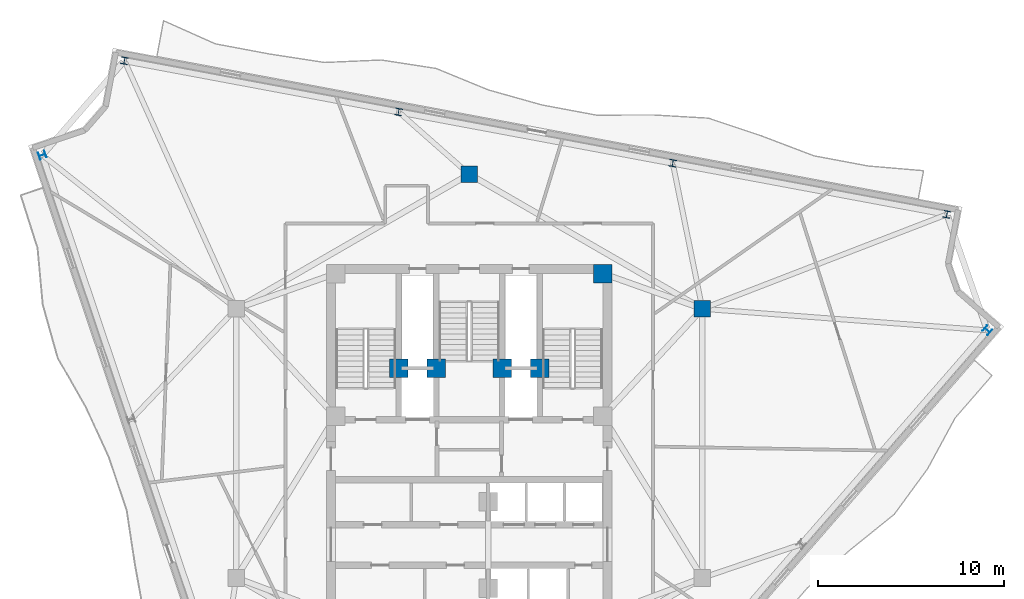
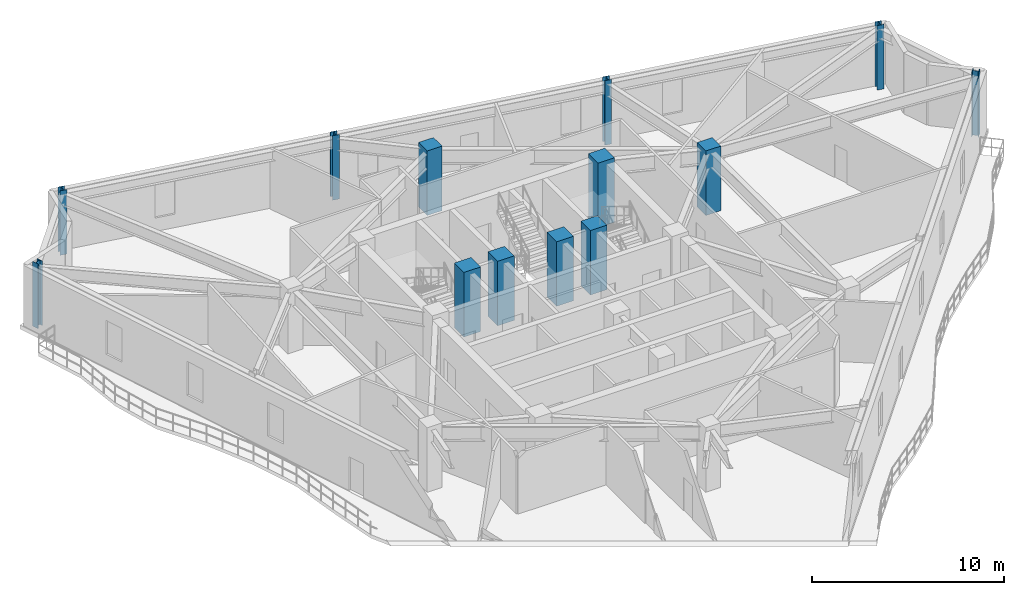
# One storey, part 2 of 10: 13 columns.
"""IFC4 building model written with IfcOpenShell, lengths in metres."""

from ifc_helpers import new_model, si_unit, direction, frame, origin, origin_2d, place, context, subcontext, project, spatial, rectangle, i_section, extrude, material, material_profile, profile_set, type_object, element, save


model = new_model("IFC4")

# Units and contexts
model_context = context("Model", 3, precision=1e-05, world=origin(), true_north=direction((0.0, 1.0)))
body_context = subcontext(model_context, "Body", "Model", "MODEL_VIEW")
ifc_project = project(units=[si_unit("LENGTHUNIT", "METRE"), si_unit("AREAUNIT", "SQUARE_METRE"), si_unit("VOLUMEUNIT", "CUBIC_METRE"), si_unit("PLANEANGLEUNIT", "RADIAN"), si_unit("MASSUNIT", "GRAM", prefix="KILO")], contexts=[model_context])

# Site, building, storey
site_placement = place(None, origin())
site = spatial("IfcSite", under=ifc_project, at=site_placement, CompositionType="ELEMENT")
building_placement = place(site_placement, origin())
building = spatial("IfcBuilding", under=site, at=building_placement, Name="Apsidion Concourse Tower", CompositionType="ELEMENT")
storey_placement = place(building_placement, frame((0.0, 0.0, 265.5)))
storey = spatial("IfcBuildingStorey", under=building, at=storey_placement, Name="L62", CompositionType="ELEMENT", Elevation=265.5)

# Columns
ifc_material_1 = material(Name="Concrete C50/60", Category="concrete")
ifc_material_profile_1 = material_profile(ifc_material_1, rectangle(XDim=1.0, YDim=1.0, at=origin_2d()), Name="RC 1000x1000")
ifc_profile_set_1 = profile_set([ifc_material_profile_1], Name="Concrete C50/60")
column_type_1 = type_object("IfcColumnType", Name="COL-RC-1000", PredefinedType="COLUMN", material=ifc_profile_set_1)
for number, where, z_axis, x_axis, name in (
    (1, (7.199951171875, 9.14990234375, 0.0), (0.0, 0.0, 1.0), (1.0, 0.0, 0.0), "L62 Core Super-Column SC4"),
    (2, (-3.800048828125, 4.050048828125, 0.0), (0.0, 0.0, 1.0), (1.0, 0.0, 0.0), "L62 Core Super-Column CC1"),
    (3, (3.800048828125, 4.050048828125, 0.0), (0.0, 0.0, 1.0), (1.0, 0.0, 0.0), "L62 Core Super-Column CC2"),
    (4, (-1.77490234375, 4.050048828125, 0.0), (0.0, 0.0, 1.0), (1.0, 0.0, 0.0), "L62 Core Super-Column CC3"),
    (5, (1.77490234375, 4.050048828125, 0.0), (0.0, 0.0, 1.0), (1.0, 0.0, 0.0), "L62 Core Super-Column CC4"),
):
    element("IfcColumn", number, at=place(storey_placement, frame(where, z_axis=z_axis, x_axis=x_axis)), inside=storey, type_object=column_type_1, Name=name, PredefinedType="COLUMN", context=body_context, shape_type="SweptSolid", body=[
        extrude(rectangle(XDim=1.0, YDim=1.0, at=origin_2d()), origin(), (0.0, 0.0, 1.0), 4.10009765625),
    ])
ifc_material_profile_2 = material_profile(ifc_material_1, rectangle(XDim=0.89990234375, YDim=0.89990234375, at=origin_2d()), Name="RC 900x900")
ifc_profile_set_2 = profile_set([ifc_material_profile_2], Name="Concrete C50/60")
column_type_2 = type_object("IfcColumnType", Name="COL-RC-900", PredefinedType="COLUMN", material=ifc_profile_set_2)
for number, where, z_axis, x_axis, name in (
    (6, (12.56005859375, 7.25, 0.0), (0.0, 0.0, 1.0), (1.0, 0.0, 0.0), "L62 Interior Spine Column IC3"),
    (7, (0.0, 14.5, 0.0), (0.0, 0.0, 1.0), (1.0, 0.0, 0.0), "L62 Interior Spine Column IC4"),
):
    element("IfcColumn", number, at=place(storey_placement, frame(where, z_axis=z_axis, x_axis=x_axis)), inside=storey, type_object=column_type_2, Name=name, PredefinedType="COLUMN", context=body_context, shape_type="SweptSolid", body=[
        extrude(rectangle(XDim=0.89990234375, YDim=0.89990234375, at=origin_2d()), origin(), (0.0, 0.0, 1.0), 4.10009765625),
    ])
ifc_material_2 = material(Name="Structural steel ASTM A992 Grade 50", Category="steel")
ifc_material_profile_3 = material_profile(ifc_material_2, i_section(OverallWidth=0.373046875, OverallDepth=0.373046875, WebThickness=0.016357421875, FlangeThickness=0.026123046875, at=origin_2d()), Name="W14X132")
ifc_profile_set_3 = profile_set([ifc_material_profile_3], Name="Structural steel ASTM A992 Grade 50")
column_type_3 = type_object("IfcColumnType", Name="COL-W14-132", PredefinedType="COLUMN", material=ifc_profile_set_3)
for number, where, z_axis, x_axis, name in (
    (8, (-23.00439453125, 15.53125, 0.0), (0.0, 0.0, 1.0), (-0.318628456287, 0.947879690069, 0.0), "L62 Rotated Perimeter Column PC01"),
    (9, (27.91455078125, 6.091064453125, 0.0), (0.0, 0.0, 1.0), (0.656059028991, 0.754709580223, 0.0), "L62 Rotated Perimeter Column PC08"),
    (10, (25.73779296875, 12.33837890625, 0.0), (0.0, 0.0, 1.0), (-0.982999500399, 0.183608230249, 0.0), "L62 Rotated Perimeter Column PC09"),
    (11, (10.964599609375, 15.0986328125, 0.0), (0.0, 0.0, 1.0), (-0.982999500399, 0.183608230249, 0.0), "L62 Rotated Perimeter Column PC10"),
    (12, (-3.80859375, 17.85888671875, 0.0), (0.0, 0.0, 1.0), (-0.982999500399, 0.183608230249, 0.0), "L62 Rotated Perimeter Column PC11"),
    (13, (-18.58154296875, 20.619140625, 0.0), (0.0, 0.0, 1.0), (-0.982999500399, 0.183608230249, 0.0), "L62 Rotated Perimeter Column PC12"),
):
    element("IfcColumn", number, at=place(storey_placement, frame(where, z_axis=z_axis, x_axis=x_axis)), inside=storey, type_object=column_type_3, Name=name, PredefinedType="COLUMN", context=body_context, shape_type="SweptSolid", body=[
        extrude(i_section(OverallWidth=0.373046875, OverallDepth=0.373046875, WebThickness=0.016357421875, FlangeThickness=0.026123046875, at=origin_2d()), origin(), (0.0, 0.0, 1.0), 4.10009765625),
    ])

save(model, "model.ifc")
